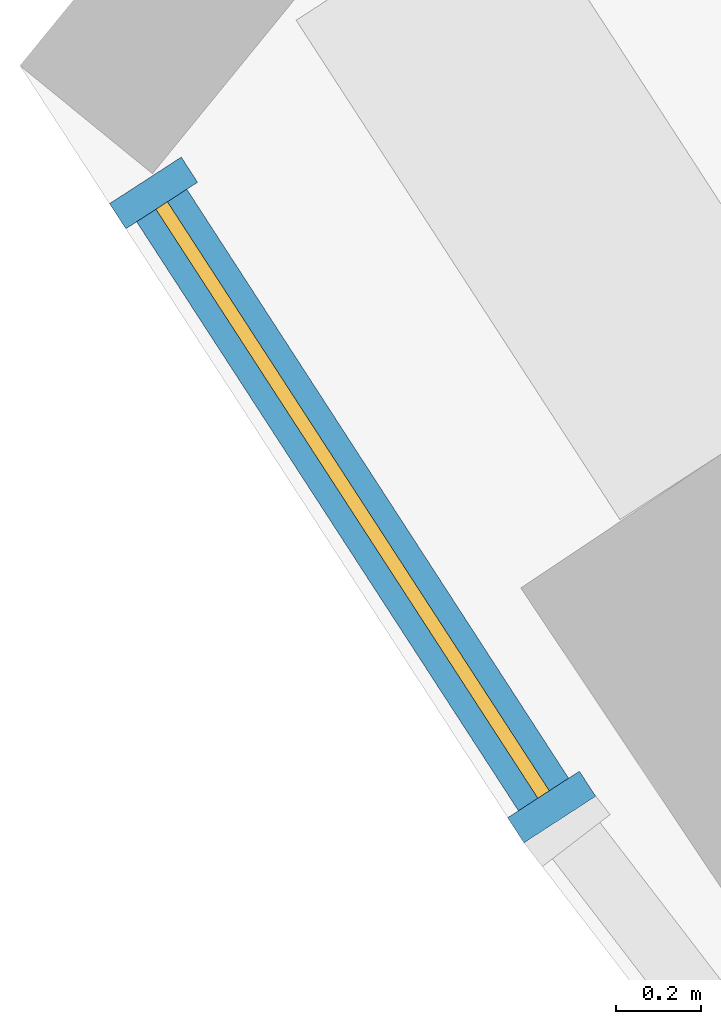
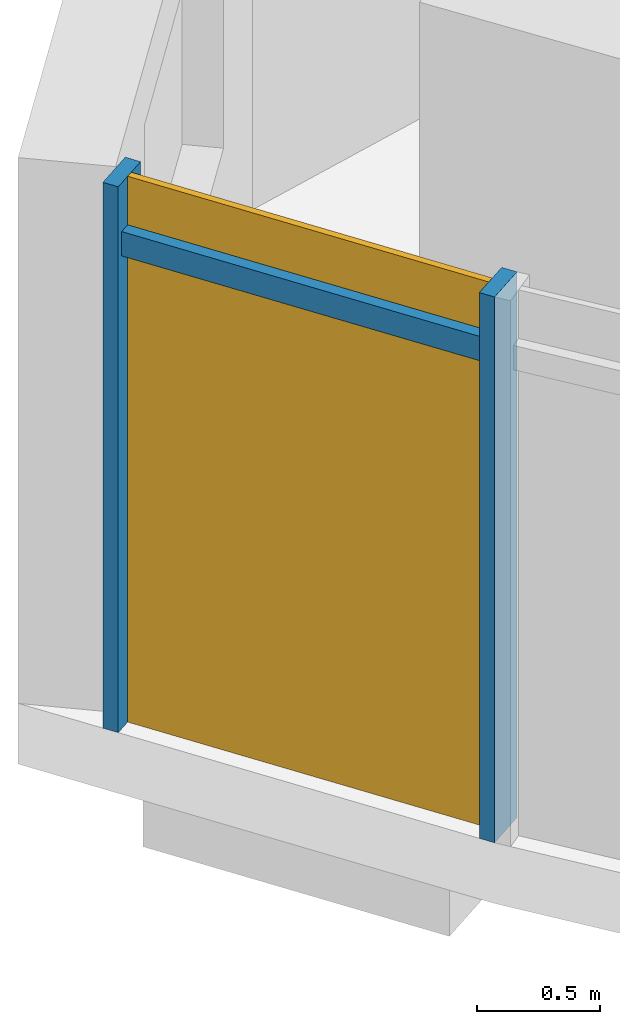
# One storey, part 20 of 28: 3 members, 1 curtain wall.
"""IFC4 building model written with IfcOpenShell, lengths in metres."""

from ifc_helpers import new_model, si_unit, direction, frame, origin, origin_2d, place, context, subcontext, project, spatial, rectangle, extrude, material, material_profile, profile_set, type_object, element, aggregate, save


model = new_model("IFC4")

# Units and contexts
model_context = context("Model", 3, precision=1e-05, world=origin(), true_north=direction((0.0, 1.0)))
body_context = subcontext(model_context, "Body", "Model", "MODEL_VIEW")
ifc_project = project(units=[si_unit("LENGTHUNIT", "METRE"), si_unit("AREAUNIT", "SQUARE_METRE"), si_unit("VOLUMEUNIT", "CUBIC_METRE"), si_unit("PLANEANGLEUNIT", "RADIAN"), si_unit("MASSUNIT", "GRAM", prefix="KILO")], contexts=[model_context])

# Member
ifc_material = material(Name="Aluminium 6063-T6 anodised", Category="aluminium")
ifc_material_profile_1 = material_profile(ifc_material, rectangle(XDim=0.199951171875, YDim=0.070068359375, at=origin_2d()))
ifc_profile_set_1 = profile_set([ifc_material_profile_1], Name="Aluminium 6063-T6 anodised")
member_type_1 = type_object("IfcMemberType", Name="Mullion 70 x 200 aluminium", PredefinedType="MULLION", material=ifc_profile_set_1)
site_placement = place(None, origin())
building_placement = place(site_placement, origin())
storey_placement = place(building_placement, frame((0.0, 0.0, 215.10009765625)))
member_1_placement = place(storey_placement, frame((-66.261962890625, -42.1748046875, 0.0), z_axis=(0.0, 0.0, 1.0), x_axis=(0.839046620581, 0.544059526607, 0.0)))
member_1 = element("IfcMember", 1, at=member_1_placement, type_object=member_type_1, Name="e-cw1-L51-out00/M00", PredefinedType="MULLION", context=body_context, shape_type="SweptSolid", body=[
    extrude(rectangle(XDim=0.199951171875, YDim=0.070068359375, at=origin_2d()), origin(), (0.0, 0.0, 1.0), 2.699951171875),
])

member_2_placement = place(storey_placement, frame((-65.330322265625, -43.61181640625, 0.0), z_axis=(0.0, 0.0, 1.0), x_axis=(0.839046620581, 0.544059526607, 0.0)))
member_2 = element("IfcMember", 2, at=member_2_placement, type_object=member_type_1, Name="e-cw1-L51-out00/M01", PredefinedType="MULLION", context=body_context, shape_type="SweptSolid", body=[
    extrude(rectangle(XDim=0.199951171875, YDim=0.070068359375, at=origin_2d()), origin(), (0.0, 0.0, 1.0), 2.699951171875),
])

ifc_material_profile_2 = material_profile(ifc_material, rectangle(XDim=0.139892578125, YDim=0.1201171875, at=origin_2d()))
ifc_profile_set_2 = profile_set([ifc_material_profile_2], Name="Aluminium 6063-T6 anodised")
member_type_2 = type_object("IfcMemberType", Name="Transom 120 x 140 aluminium", PredefinedType="USERDEFINED", material=ifc_profile_set_2)
member_3_placement = place(storey_placement, frame((-66.242919921875, -42.2041015625, 2.39990234375), z_axis=(0.543953595022, -0.839115299862, 0.0), x_axis=(0.839115299862, 0.543953595022, 0.0)))
member_3 = element("IfcMember", 3, at=member_3_placement, type_object=member_type_2, Name="e-cw1-L51-out00/T00", ObjectType="TRANSOM", PredefinedType="USERDEFINED", context=body_context, shape_type="SweptSolid", body=[
    extrude(rectangle(XDim=0.139892578125, YDim=0.1201171875, at=origin_2d()), origin(), (0.0, 0.0, 1.0), 1.642822265625),
])

# Site, building, storey
site = spatial("IfcSite", under=ifc_project, at=site_placement, CompositionType="ELEMENT")
building = spatial("IfcBuilding", under=site, at=building_placement, Name="Qamariyya Broadcast Tower", CompositionType="ELEMENT")
storey = spatial("IfcBuildingStorey", under=building, at=storey_placement, Name="L51", CompositionType="ELEMENT", Elevation=215.10009765625)

# Curtain wall
curtain_wall_type = type_object("IfcCurtainWallType", Name="Unitised curtain wall, anodised aluminium", PredefinedType="NOTDEFINED", material=ifc_material)
curtain_wall_placement = place(storey_placement, origin())
curtain_wall = element("IfcCurtainWall", 4, at=curtain_wall_placement, inside=storey, type_object=curtain_wall_type, Name="e-cw1-L51-out00", PredefinedType="NOTDEFINED", context=body_context, shape_type="SweptSolid", body=[
    extrude(rectangle(XDim=1.642578125, YDim=0.031982421875, at=origin_2d()), frame((-65.796142578125, -42.893310546875, 0.0), x_axis=(0.544034762609, -0.839062677679, 0.0)), (0.0, 0.0, 1.0), 2.340087890625),
    extrude(rectangle(XDim=1.642578125, YDim=0.031982421875, at=origin_2d()), frame((-65.796142578125, -42.893310546875, 2.4599609375), x_axis=(0.544034762609, -0.839062677679, 0.0)), (0.0, 0.0, 1.0), 0.239990234375),
])

aggregate(curtain_wall, [member_1, member_2, member_3])

save(model, "model.ifc")
